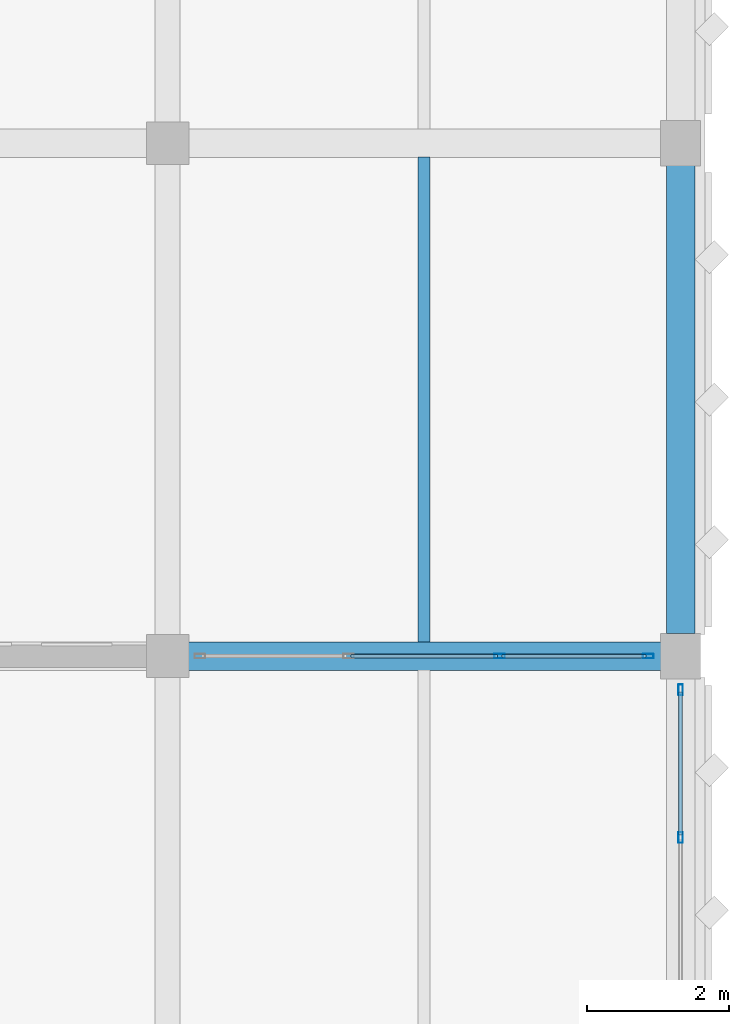
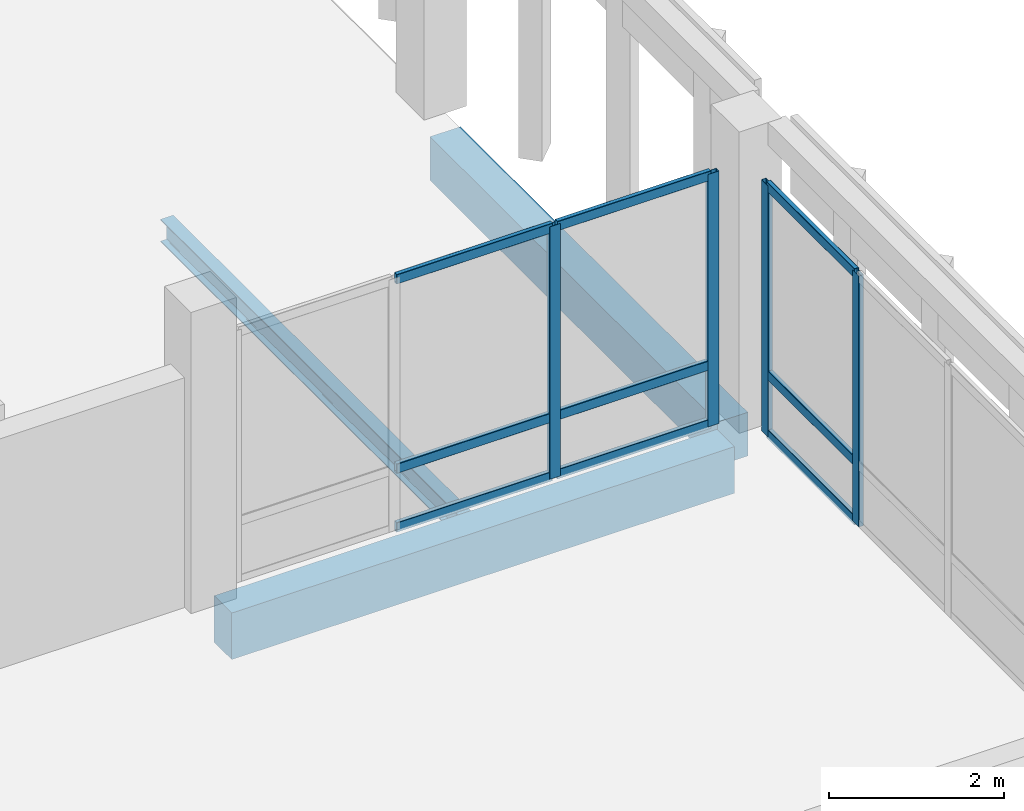
# One storey, part 106 of 158: 13 members, 3 beams, 2 elements without a shape of their own.
"""IFC4 building model written with IfcOpenShell, lengths in metres."""

from ifc_helpers import new_model, si_unit, direction, frame, origin, origin_2d, place, context, subcontext, project, spatial, rectangle, hollow_rectangle, i_section, extrude, material, material_profile, profile_set, type_object, element, aggregate, save


model = new_model("IFC4")

# Units and contexts
model_context = context("Model", 3, precision=1e-05, world=origin(), true_north=direction((0.0, 1.0)))
body_context = subcontext(model_context, "Body", "Model", "MODEL_VIEW")
ifc_project = project(units=[si_unit("LENGTHUNIT", "METRE"), si_unit("AREAUNIT", "SQUARE_METRE"), si_unit("VOLUMEUNIT", "CUBIC_METRE"), si_unit("PLANEANGLEUNIT", "RADIAN"), si_unit("MASSUNIT", "GRAM", prefix="KILO")], contexts=[model_context])

# Site, building, storey
site_placement = place(None, origin())
site = spatial("IfcSite", under=ifc_project, at=site_placement, CompositionType="ELEMENT")
building_placement = place(site_placement, origin())
building = spatial("IfcBuilding", under=site, at=building_placement, Name="Lusvemor Sports Hall", CompositionType="ELEMENT")
storey_placement = place(building_placement, frame((0.0, 0.0, 10.800048828125)))
storey = spatial("IfcBuildingStorey", under=building, at=storey_placement, Name="L02", CompositionType="ELEMENT", Elevation=10.800048828125)

# Beam
ifc_material_1 = material(Name="Concrete C40/50", Category="concrete")
ifc_material_profile_1 = material_profile(ifc_material_1, rectangle(XDim=0.39990234375, YDim=0.64990234375, at=origin_2d()), Name="RC400x650")
ifc_profile_set_1 = profile_set([ifc_material_profile_1], Name="Concrete C40/50")
beam_type_1 = type_object("IfcBeamType", Name="BEAM_RC_650", PredefinedType="BEAM", material=ifc_profile_set_1)
beam_1_placement = place(storey_placement, frame((162.2958984375, 82.800048828125, -0.5849609375), z_axis=(1.0, 0.0, 0.0), x_axis=(0.0, 1.0, 0.0)))
element("IfcBeam", 1, at=beam_1_placement, inside=storey, type_object=beam_type_1, Name="Beam L02 L:19-20", PredefinedType="BEAM", context=body_context, shape_type="SweptSolid", body=[
    extrude(rectangle(XDim=0.39990234375, YDim=0.64990234375, at=origin_2d()), origin(), (0.0, 0.0, 1.0), 6.628173828125),
])

# Curtain wall, members
ifc_material_2 = material(Name="Thermally broken bronze-anodized aluminium", Category="aluminium")
curtain_wall_type_1 = type_object("IfcCurtainWallType", Name="CW_WING_B", PredefinedType="NOTDEFINED", material=ifc_material_2)
curtain_wall_1_placement = place(storey_placement, origin())
curtain_wall_1 = element("IfcCurtainWall", 2, at=curtain_wall_1_placement, inside=storey, type_object=curtain_wall_type_1, Name="Curtain Wall CW-L02-N-4-4", PredefinedType="NOTDEFINED")
ifc_material_3 = material(Name="Thermally broken bronze-anodized aluminium", Category="aluminium")
ifc_material_profile_2 = material_profile(ifc_material_3, hollow_rectangle(XDim=0.06494140625, YDim=0.14990234375, WallThickness=0.00390625, InnerFilletRadius=0.00390625, OuterFilletRadius=0.008056640625, at=origin_2d()), Name="CWMUL150x65x4")
ifc_profile_set_2 = profile_set([ifc_material_profile_2], Name="Thermally broken bronze-anodized aluminium")
member_type_1 = type_object("IfcMemberType", Name="CW_MUL_B", PredefinedType="MULLION", material=ifc_profile_set_2)
member_1_placement = place(storey_placement, frame((166.659912109375, 82.800048828125, 0.0), z_axis=(0.0, 0.0, 1.0), x_axis=(0.0, 1.0, 0.0)))
member_1 = element("IfcMember", 3, at=member_1_placement, type_object=member_type_1, Name="CW02 mullion 3", PredefinedType="MULLION", context=body_context, shape_type="SweptSolid", body=[
    extrude(hollow_rectangle(XDim=0.06494140625, YDim=0.14990234375, WallThickness=0.00390625, InnerFilletRadius=0.00390625, OuterFilletRadius=0.008056640625, at=origin_2d()), origin(), (0.0, 0.0, 1.0), 3.52001953125),
])
member_2_placement = place(storey_placement, frame((168.74755859375, 82.800048828125, 0.0), z_axis=(0.0, 0.0, 1.0), x_axis=(0.0, 1.0, 0.0)))
member_2 = element("IfcMember", 4, at=member_2_placement, type_object=member_type_1, Name="CW02 mullion 4", PredefinedType="MULLION", context=body_context, shape_type="SweptSolid", body=[
    extrude(hollow_rectangle(XDim=0.06494140625, YDim=0.14990234375, WallThickness=0.00390625, InnerFilletRadius=0.00390625, OuterFilletRadius=0.008056640625, at=origin_2d()), origin(), (0.0, 0.0, 1.0), 3.52001953125),
])

ifc_material_4 = material(Name="Thermally broken bronze-anodized aluminium", Category="aluminium")
curtain_wall_type_2 = type_object("IfcCurtainWallType", Name="CW_PASSAGE_E", PredefinedType="NOTDEFINED", material=ifc_material_4)
curtain_wall_2_placement = place(storey_placement, origin())
curtain_wall_2 = element("IfcCurtainWall", 5, at=curtain_wall_2_placement, inside=storey, type_object=curtain_wall_type_2, Name="Curtain Wall CW-NLINK-169-L02", PredefinedType="NOTDEFINED")
member_3_placement = place(storey_placement, frame((169.199951171875, 80.25341796875, 0.0), z_axis=(0.0, 0.0, 1.0), x_axis=(-1.0, 0.0, 0.0)))
member_3 = element("IfcMember", 6, at=member_3_placement, type_object=member_type_1, Name="CW05 mullion 3", PredefinedType="MULLION", context=body_context, shape_type="SweptSolid", body=[
    extrude(hollow_rectangle(XDim=0.06494140625, YDim=0.14990234375, WallThickness=0.00390625, InnerFilletRadius=0.00390625, OuterFilletRadius=0.008056640625, at=origin_2d()), origin(), (0.0, 0.0, 1.0), 3.5),
])
member_4_placement = place(storey_placement, frame((169.199951171875, 82.327392578125, 0.0), z_axis=(0.0, 0.0, 1.0), x_axis=(-1.0, 0.0, 0.0)))
member_4 = element("IfcMember", 7, at=member_4_placement, type_object=member_type_1, Name="CW05 mullion 4", PredefinedType="MULLION", context=body_context, shape_type="SweptSolid", body=[
    extrude(hollow_rectangle(XDim=0.06494140625, YDim=0.14990234375, WallThickness=0.00390625, InnerFilletRadius=0.00390625, OuterFilletRadius=0.008056640625, at=origin_2d()), origin(), (0.0, 0.0, 1.0), 3.5),
])

# Member
ifc_material_5 = material(Name="Thermally broken bronze-anodized aluminium", Category="aluminium")
ifc_material_profile_3 = material_profile(ifc_material_5, hollow_rectangle(XDim=0.06005859375, YDim=0.135009765625, WallThickness=0.00390625, InnerFilletRadius=0.00390625, OuterFilletRadius=0.008056640625, at=origin_2d()), Name="CWTRN135x60x4")
ifc_profile_set_3 = profile_set([ifc_material_profile_3], Name="Thermally broken bronze-anodized aluminium")
member_type_2 = type_object("IfcMemberType", Name="CW_TRN_B", PredefinedType="USERDEFINED", material=ifc_profile_set_3)
member_5_placement = place(storey_placement, frame((164.572509765625, 82.800048828125, 0.030029296875), z_axis=(1.0, 0.0, 0.0), x_axis=(0.0, 1.0, 0.0)))
member_5 = element("IfcMember", 8, at=member_5_placement, type_object=member_type_2, Name="CW02 transom 2.1", ObjectType="TRANSOM", PredefinedType="USERDEFINED", context=body_context, shape_type="SweptSolid", body=[
    extrude(hollow_rectangle(XDim=0.06005859375, YDim=0.135009765625, WallThickness=0.00390625, InnerFilletRadius=0.00390625, OuterFilletRadius=0.008056640625, at=origin_2d()), origin(), (0.0, 0.0, 1.0), 2.054931640625),
])

member_6_placement = place(storey_placement, frame((164.572509765625, 82.800048828125, 0.849853515625), z_axis=(1.0, 0.0, 0.0), x_axis=(0.0, 1.0, 0.0)))
member_6 = element("IfcMember", 9, at=member_6_placement, type_object=member_type_2, Name="CW02 transom 2.2", ObjectType="TRANSOM", PredefinedType="USERDEFINED", context=body_context, shape_type="SweptSolid", body=[
    extrude(hollow_rectangle(XDim=0.06005859375, YDim=0.135009765625, WallThickness=0.00390625, InnerFilletRadius=0.00390625, OuterFilletRadius=0.008056640625, at=origin_2d()), origin(), (0.0, 0.0, 1.0), 2.054931640625),
])

member_7_placement = place(storey_placement, frame((164.572509765625, 82.800048828125, 3.489990234375), z_axis=(1.0, 0.0, 0.0), x_axis=(0.0, 1.0, 0.0)))
member_7 = element("IfcMember", 10, at=member_7_placement, type_object=member_type_2, Name="CW02 transom 2.3", ObjectType="TRANSOM", PredefinedType="USERDEFINED", context=body_context, shape_type="SweptSolid", body=[
    extrude(hollow_rectangle(XDim=0.06005859375, YDim=0.135009765625, WallThickness=0.00390625, InnerFilletRadius=0.00390625, OuterFilletRadius=0.008056640625, at=origin_2d()), origin(), (0.0, 0.0, 1.0), 2.054931640625),
])

member_8_placement = place(storey_placement, frame((166.6923828125, 82.800048828125, 0.030029296875), z_axis=(1.0, 0.0, 0.0), x_axis=(0.0, 1.0, 0.0)))
member_8 = element("IfcMember", 11, at=member_8_placement, type_object=member_type_2, Name="CW02 transom 3.1", ObjectType="TRANSOM", PredefinedType="USERDEFINED", context=body_context, shape_type="SweptSolid", body=[
    extrude(hollow_rectangle(XDim=0.06005859375, YDim=0.135009765625, WallThickness=0.00390625, InnerFilletRadius=0.00390625, OuterFilletRadius=0.008056640625, at=origin_2d()), origin(), (0.0, 0.0, 1.0), 2.022705078125),
])

member_9_placement = place(storey_placement, frame((166.6923828125, 82.800048828125, 0.849853515625), z_axis=(1.0, 0.0, 0.0), x_axis=(0.0, 1.0, 0.0)))
member_9 = element("IfcMember", 12, at=member_9_placement, type_object=member_type_2, Name="CW02 transom 3.2", ObjectType="TRANSOM", PredefinedType="USERDEFINED", context=body_context, shape_type="SweptSolid", body=[
    extrude(hollow_rectangle(XDim=0.06005859375, YDim=0.135009765625, WallThickness=0.00390625, InnerFilletRadius=0.00390625, OuterFilletRadius=0.008056640625, at=origin_2d()), origin(), (0.0, 0.0, 1.0), 2.022705078125),
])

member_10_placement = place(storey_placement, frame((166.6923828125, 82.800048828125, 3.489990234375), z_axis=(1.0, 0.0, 0.0), x_axis=(0.0, 1.0, 0.0)))
member_10 = element("IfcMember", 13, at=member_10_placement, type_object=member_type_2, Name="CW02 transom 3.3", ObjectType="TRANSOM", PredefinedType="USERDEFINED", context=body_context, shape_type="SweptSolid", body=[
    extrude(hollow_rectangle(XDim=0.06005859375, YDim=0.135009765625, WallThickness=0.00390625, InnerFilletRadius=0.00390625, OuterFilletRadius=0.008056640625, at=origin_2d()), origin(), (0.0, 0.0, 1.0), 2.022705078125),
])

aggregate(curtain_wall_1, [member_1, member_2, member_5, member_6, member_7, member_8, member_9, member_10])

member_11_placement = place(storey_placement, frame((169.199951171875, 80.285888671875, 0.030029296875), z_axis=(0.0, 1.0, 0.0), x_axis=(-1.0, 0.0, 0.0)))
member_11 = element("IfcMember", 14, at=member_11_placement, type_object=member_type_2, Name="CW05 transom 3.1", ObjectType="TRANSOM", PredefinedType="USERDEFINED", context=body_context, shape_type="SweptSolid", body=[
    extrude(hollow_rectangle(XDim=0.06005859375, YDim=0.135009765625, WallThickness=0.00390625, InnerFilletRadius=0.00390625, OuterFilletRadius=0.008056640625, at=origin_2d()), origin(), (0.0, 0.0, 1.0), 2.009033203125),
])

member_12_placement = place(storey_placement, frame((169.199951171875, 80.285888671875, 0.849853515625), z_axis=(0.0, 1.0, 0.0), x_axis=(-1.0, 0.0, 0.0)))
member_12 = element("IfcMember", 15, at=member_12_placement, type_object=member_type_2, Name="CW05 transom 3.2", ObjectType="TRANSOM", PredefinedType="USERDEFINED", context=body_context, shape_type="SweptSolid", body=[
    extrude(hollow_rectangle(XDim=0.06005859375, YDim=0.135009765625, WallThickness=0.00390625, InnerFilletRadius=0.00390625, OuterFilletRadius=0.008056640625, at=origin_2d()), origin(), (0.0, 0.0, 1.0), 2.009033203125),
])

member_13_placement = place(storey_placement, frame((169.199951171875, 80.285888671875, 3.469970703125), z_axis=(0.0, 1.0, 0.0), x_axis=(-1.0, 0.0, 0.0)))
member_13 = element("IfcMember", 16, at=member_13_placement, type_object=member_type_2, Name="CW05 transom 3.3", ObjectType="TRANSOM", PredefinedType="USERDEFINED", context=body_context, shape_type="SweptSolid", body=[
    extrude(hollow_rectangle(XDim=0.06005859375, YDim=0.135009765625, WallThickness=0.00390625, InnerFilletRadius=0.00390625, OuterFilletRadius=0.008056640625, at=origin_2d()), origin(), (0.0, 0.0, 1.0), 2.009033203125),
])

aggregate(curtain_wall_2, [member_3, member_4, member_11, member_12, member_13])

# Beams
ifc_material_6 = material(Name="Steel S355", Category="steel")
ifc_material_profile_4 = material_profile(ifc_material_6, i_section(OverallWidth=0.1669921875, OverallDepth=0.31689453125, WebThickness=0.007568359375, FlangeThickness=0.01318359375, FilletRadius=0.014892578125, at=origin_2d()), Name="W310x52.0")
ifc_profile_set_4 = profile_set([ifc_material_profile_4], Name="Steel S355")
beam_type_2 = type_object("IfcBeamType", Name="JOIST_ST_310M", PredefinedType="JOIST", material=ifc_profile_set_4)
beam_2_placement = place(storey_placement, frame((165.60009765625, 82.99609375, -0.422607421875), z_axis=(0.0, 1.0, 0.0), x_axis=(-1.0, 0.0, 0.0)))
element("IfcBeam", 17, at=beam_2_placement, inside=storey, type_object=beam_type_2, Name="Secondary Joist L02 19-20/L-M #1", PredefinedType="JOIST", context=body_context, shape_type="SweptSolid", body=[
    extrude(i_section(OverallWidth=0.1669921875, OverallDepth=0.31689453125, WebThickness=0.007568359375, FlangeThickness=0.01318359375, FilletRadius=0.014892578125, at=origin_2d()), origin(), (0.0, 0.0, 1.0), 6.807861328125),
])
ifc_material_7 = material(Name="Concrete C40/50", Category="concrete")
ifc_material_profile_5 = material_profile(ifc_material_7, rectangle(XDim=0.39990234375, YDim=0.610107421875, at=origin_2d()), Name="RC400x610")
ifc_profile_set_5 = profile_set([ifc_material_profile_5], Name="Concrete C40/50")
beam_type_3 = type_object("IfcBeamType", Name="SPAND_EXT_650", PredefinedType="SPANDREL", material=ifc_profile_set_5)
beam_3_placement = place(storey_placement, frame((169.199951171875, 83.115966796875, -0.56494140625), z_axis=(0.0, 1.0, 0.0), x_axis=(-1.0, 0.0, 0.0)))
element("IfcBeam", 18, at=beam_3_placement, inside=storey, type_object=beam_type_3, Name="Beam L02 20:L-M", PredefinedType="SPANDREL", context=body_context, shape_type="SweptSolid", body=[
    extrude(rectangle(XDim=0.39990234375, YDim=0.610107421875, at=origin_2d()), origin(), (0.0, 0.0, 1.0), 6.568115234375),
])

save(model, "model.ifc")
